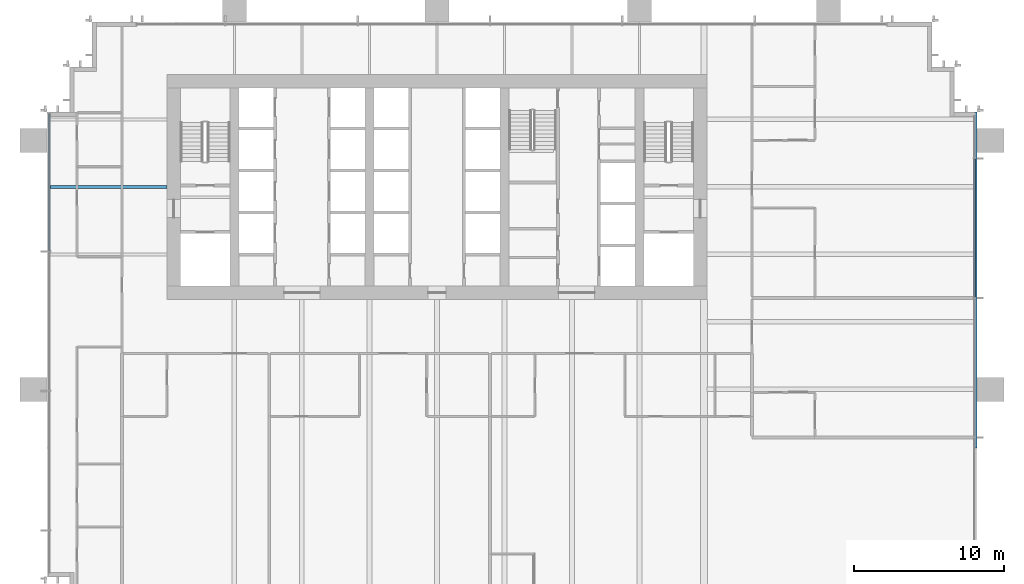
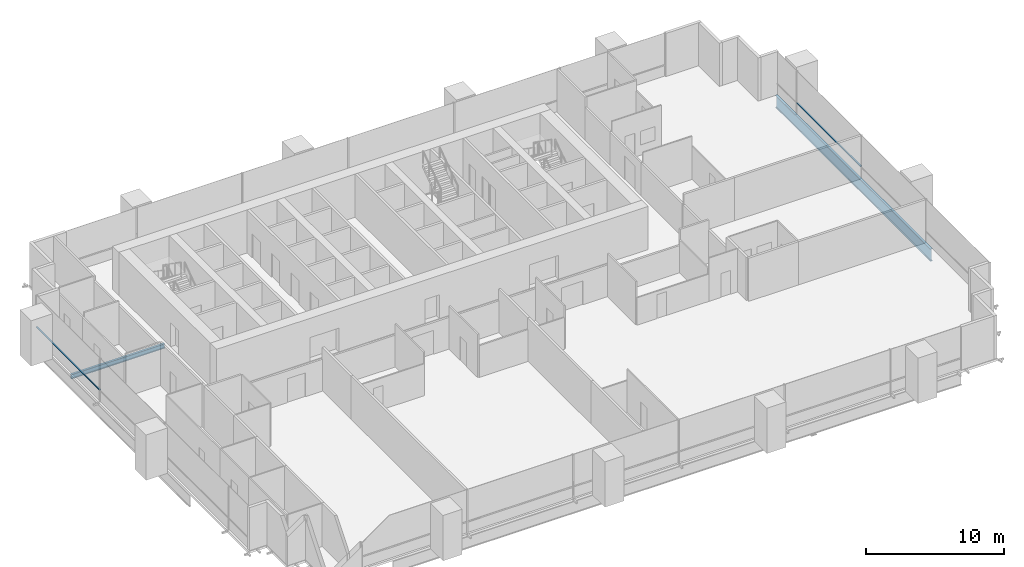
# One storey, part 7 of 17: 2 beams, 2 members, 2 elements without a shape of their own.
"""IFC4 building model written with IfcOpenShell, lengths in metres."""

from ifc_helpers import new_model, si_unit, direction, frame, origin, origin_2d, place, context, subcontext, project, spatial, rectangle, i_section, extrude, material, material_profile, profile_set, type_object, element, aggregate, save


model = new_model("IFC4")

# Units and contexts
model_context = context("Model", 3, precision=1e-05, world=origin(), true_north=direction((0.0, 1.0)))
body_context = subcontext(model_context, "Body", "Model", "MODEL_VIEW")
ifc_project = project(units=[si_unit("LENGTHUNIT", "METRE"), si_unit("AREAUNIT", "SQUARE_METRE"), si_unit("VOLUMEUNIT", "CUBIC_METRE"), si_unit("PLANEANGLEUNIT", "RADIAN"), si_unit("MASSUNIT", "GRAM", prefix="KILO")], contexts=[model_context])

# Site, building, storey
site_placement = place(None, origin())
site = spatial("IfcSite", under=ifc_project, at=site_placement, CompositionType="ELEMENT")
building_placement = place(site_placement, origin())
building = spatial("IfcBuilding", under=site, at=building_placement, Name="Rattan Terrace Tower", CompositionType="ELEMENT")
storey_placement = place(building_placement, frame((0.0, 0.0, 83.699951171875)))
storey = spatial("IfcBuildingStorey", under=building, at=storey_placement, Name="L18", CompositionType="ELEMENT", Elevation=83.699951171875)

# Curtain wall, member
ifc_material_1 = material(Name="Aluminium and glass", Category="aluminium")
curtain_wall_type = type_object("IfcCurtainWallType", Name="Facade Unitised Curtain Wall", PredefinedType="NOTDEFINED", material=ifc_material_1)
curtain_wall_1_placement = place(storey_placement, origin())
curtain_wall_1 = element("IfcCurtainWall", 1, at=curtain_wall_1_placement, inside=storey, type_object=curtain_wall_type, Name="Curtain wall L18-1", PredefinedType="NOTDEFINED")
ifc_material_2 = material(Name="Aluminium", Category="aluminium")
ifc_material_profile_1 = material_profile(ifc_material_2, rectangle(XDim=0.1201171875, YDim=0.06005859375, at=origin_2d()), Name="Aluminium 120x60")
ifc_profile_set_1 = profile_set([ifc_material_profile_1], Name="Aluminium")
member_type = type_object("IfcMemberType", Name="Facade CW Transom 120x60", PredefinedType="USERDEFINED", material=ifc_profile_set_1)
member_1_placement = place(storey_placement, frame((35.830078125, -7.3701171875, 1.0), z_axis=(0.0, 1.0, 0.0), x_axis=(-1.0, 0.0, 0.0)))
member_1 = element("IfcMember", 2, at=member_1_placement, type_object=member_type, Name="Transom cwl-L18-001.3", ObjectType="TRANSOM", PredefinedType="USERDEFINED", context=body_context, shape_type="SweptSolid", body=[
    extrude(rectangle(XDim=0.1201171875, YDim=0.06005859375, at=origin_2d()), origin(), (0.0, 0.0, 1.0), 9.240234375),
])
aggregate(curtain_wall_1, [member_1])

curtain_wall_2_placement = place(storey_placement, origin())
curtain_wall_2 = element("IfcCurtainWall", 3, at=curtain_wall_2_placement, inside=storey, type_object=curtain_wall_type, Name="Curtain wall L18-3", PredefinedType="NOTDEFINED")
member_2_placement = place(storey_placement, frame((-25.830078125, 4.89501953125, 1.0), z_axis=(0.0, -1.0, 0.0), x_axis=(1.0, 0.0, 0.0)))
member_2 = element("IfcMember", 4, at=member_2_placement, type_object=member_type, Name="Transom cwl-L18-003.1", ObjectType="TRANSOM", PredefinedType="USERDEFINED", context=body_context, shape_type="SweptSolid", body=[
    extrude(rectangle(XDim=0.1201171875, YDim=0.06005859375, at=origin_2d()), origin(), (0.0, 0.0, 1.0), 9.1650390625),
])
aggregate(curtain_wall_2, [member_2])

# Beams
ifc_material_3 = material(Name="Steel S460", Category="steel")
ifc_material_profile_2 = material_profile(ifc_material_3, i_section(OverallWidth=0.179931640625, OverallDepth=1.10009765625, WebThickness=0.01611328125, FlangeThickness=0.050048828125, at=origin_2d()), Name="PG 1100x180-16-50")
ifc_profile_set_2 = profile_set([ifc_material_profile_2], Name="Steel S460")
beam_type_1 = type_object("IfcBeamType", Name="Frame edge girder PG 1100x180-16-50", PredefinedType="SPANDREL", material=ifc_profile_set_2)
beam_1_placement = place(storey_placement, frame((35.909912109375, 5.0, -0.75), z_axis=(0.0, -1.0, 0.0), x_axis=(1.0, 0.0, 0.0)))
element("IfcBeam", 5, at=beam_1_placement, inside=storey, type_object=beam_type_1, Name="gdr-L18-005", PredefinedType="SPANDREL", context=body_context, shape_type="SweptSolid", body=[
    extrude(i_section(OverallWidth=0.179931640625, OverallDepth=1.10009765625, WebThickness=0.01611328125, FlangeThickness=0.050048828125, at=origin_2d()), origin(), (0.0, 0.0, 1.0), 22.39990234375),
])
ifc_material_4 = material(Name="Steel S355", Category="steel")
ifc_material_profile_3 = material_profile(ifc_material_4, i_section(OverallWidth=0.179931640625, OverallDepth=0.39990234375, WebThickness=0.008544921875, FlangeThickness=0.013427734375, FilletRadius=0.02099609375, at=origin_2d()), Name="IPE 400")
ifc_profile_set_3 = profile_set([ifc_material_profile_3], Name="Steel S355")
beam_type_2 = type_object("IfcBeamType", Name="Frame floor beam IPE 400", PredefinedType="JOIST", material=ifc_profile_set_3)
beam_2_placement = place(storey_placement, frame((-25.820068359375, 0.0, -0.39990234375), z_axis=(1.0, 0.0, 0.0), x_axis=(0.0, 1.0, 0.0)))
element("IfcBeam", 6, at=beam_2_placement, inside=storey, type_object=beam_type_2, Name="bm-L18-014", PredefinedType="JOIST", context=body_context, shape_type="SweptSolid", body=[
    extrude(i_section(OverallWidth=0.179931640625, OverallDepth=0.39990234375, WebThickness=0.008544921875, FlangeThickness=0.013427734375, FilletRadius=0.02099609375, at=origin_2d()), origin(), (0.0, 0.0, 1.0), 7.820068359375),
])

save(model, "model.ifc")
